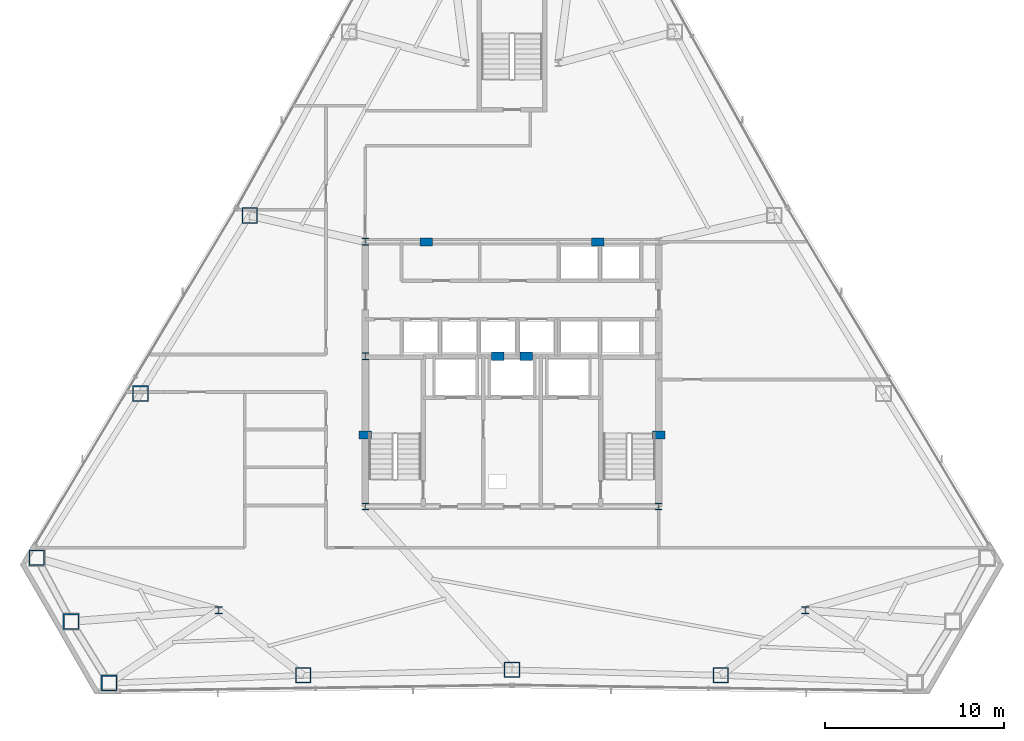
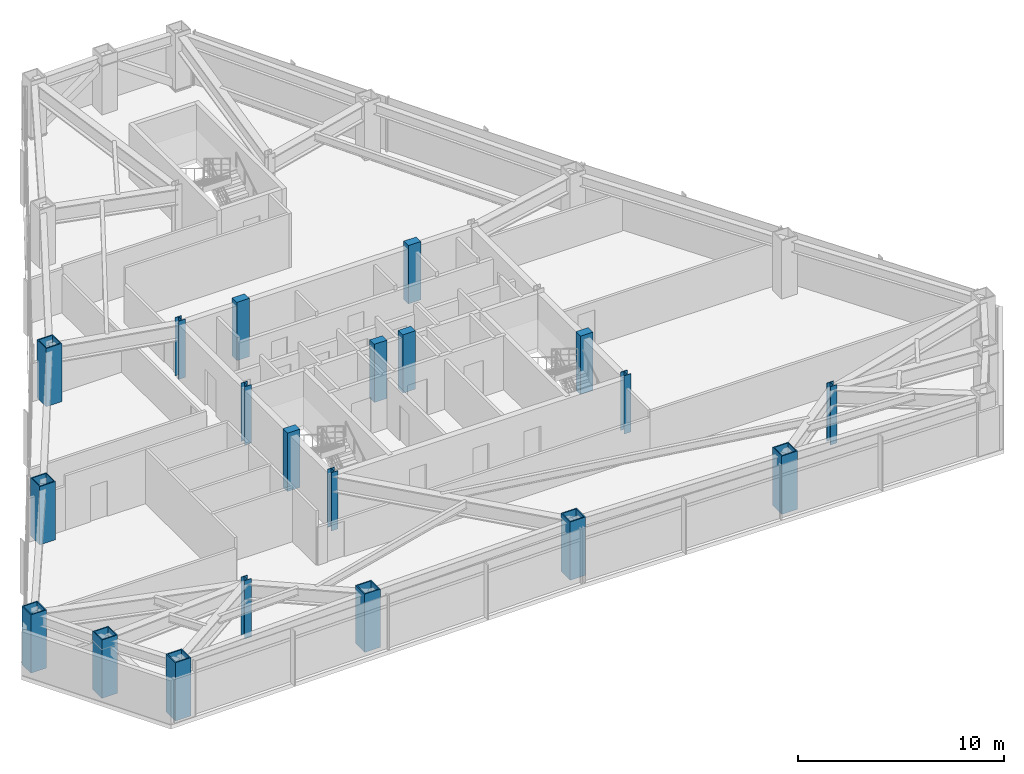
# One storey, part 1 of 11: 20 columns.
"""IFC4 building model written with IfcOpenShell, lengths in metres."""

from ifc_helpers import new_model, si_unit, direction, frame, origin, origin_2d, place, context, subcontext, project, spatial, rectangle, hollow_rectangle, i_section, extrude, material, material_profile, profile_set, type_object, element, save


model = new_model("IFC4")

# Units and contexts
model_context = context("Model", 3, precision=1e-05, world=origin(), true_north=direction((0.0, 1.0)))
body_context = subcontext(model_context, "Body", "Model", "MODEL_VIEW")
ifc_project = project(units=[si_unit("LENGTHUNIT", "METRE"), si_unit("AREAUNIT", "SQUARE_METRE"), si_unit("VOLUMEUNIT", "CUBIC_METRE"), si_unit("PLANEANGLEUNIT", "RADIAN"), si_unit("MASSUNIT", "GRAM", prefix="KILO")], contexts=[model_context])

# Site, building, storey
site_placement = place(None, origin())
site = spatial("IfcSite", under=ifc_project, at=site_placement, CompositionType="ELEMENT")
building_placement = place(site_placement, origin())
building = spatial("IfcBuilding", under=site, at=building_placement, Name="Varakhsha Concourse Tower", CompositionType="ELEMENT")
storey_placement = place(building_placement, frame((0.0, 0.0, 140.14990234375)))
storey = spatial("IfcBuildingStorey", under=building, at=storey_placement, Name="L40", CompositionType="ELEMENT", Elevation=140.14990234375)

# Columns
ifc_material_1 = material(Name="Structural Steel ASTM A992 Grade 50", Category="steel")
ifc_material_profile_1 = material_profile(ifc_material_1, i_section(OverallWidth=0.3740234375, OverallDepth=0.3720703125, WebThickness=0.01611328125, FlangeThickness=0.02587890625, at=origin_2d()), Name="W14X132")
ifc_profile_set_1 = profile_set([ifc_material_profile_1], Name="Structural Steel ASTM A992 Grade 50")
column_type_1 = type_object("IfcColumnType", Name="CL-CORE-W14X132", PredefinedType="COLUMN", material=ifc_profile_set_1)
for number, where, z_axis, x_axis, name in (
    (1, (31.800048828125, 16.39990234375, 0.0), (0.0, 0.0, 1.0), (1.0, 0.0, 0.0), "L40 Core Column CC-SW"),
    (2, (48.199951171875, 16.39990234375, 0.0), (0.0, 0.0, 1.0), (1.0, 0.0, 0.0), "L40 Core Column CC-SE"),
    (3, (31.800048828125, 24.800048828125, 0.0), (0.0, 0.0, 1.0), (1.0, 0.0, 0.0), "L40 Core Column CC-MW"),
    (4, (31.800048828125, 31.199951171875, 0.0), (0.0, 0.0, 1.0), (1.0, 0.0, 0.0), "L40 Core Column CC-NW"),
    (5, (23.60009765625, 10.60009765625, 0.0), (0.0, 0.0, 1.0), (1.0, 0.0, 0.0), "L40 Core Column SS-W"),
    (6, (56.39990234375, 10.60009765625, 0.0), (0.0, 0.0, 1.0), (1.0, 0.0, 0.0), "L40 Core Column SS-E"),
):
    element("IfcColumn", number, at=place(storey_placement, frame(where, z_axis=z_axis, x_axis=x_axis)), inside=storey, type_object=column_type_1, Name=name, PredefinedType="COLUMN", context=body_context, shape_type="SweptSolid", body=[
        extrude(i_section(OverallWidth=0.3740234375, OverallDepth=0.3720703125, WebThickness=0.01611328125, FlangeThickness=0.02587890625, at=origin_2d()), origin(), (0.0, 0.0, 1.0), 3.4501953125),
    ])
ifc_material_2 = material(Name="Concrete fc 65 MPa", Category="concrete")
ifc_material_profile_2 = material_profile(ifc_material_2, rectangle(XDim=0.699951171875, YDim=0.449951171875, at=origin_2d()), Name="RC 700x450")
ifc_profile_set_2 = profile_set([ifc_material_profile_2], Name="Concrete fc 65 MPa")
column_type_2 = type_object("IfcColumnType", Name="CL-PIL-700X450", PredefinedType="PILASTER", material=ifc_profile_set_2)
for number, where, z_axis, x_axis, name in (
    (7, (31.800048828125, 20.39990234375, 0.0), (0.0, 0.0, 1.0), (1.0, 0.0, 0.0), "L40 Core Boundary Pilaster PIL-W1"),
    (8, (48.199951171875, 20.39990234375, 0.0), (0.0, 0.0, 1.0), (1.0, 0.0, 0.0), "L40 Core Boundary Pilaster PIL-E1"),
    (9, (35.199951171875, 31.199951171875, 0.0), (0.0, 0.0, 1.0), (1.0, 0.0, 0.0), "L40 Core Boundary Pilaster PIL-N1"),
    (10, (44.800048828125, 31.199951171875, 0.0), (0.0, 0.0, 1.0), (1.0, 0.0, 0.0), "L40 Core Boundary Pilaster PIL-N2"),
    (11, (39.199951171875, 24.800048828125, 0.0), (0.0, 0.0, 1.0), (1.0, 0.0, 0.0), "L40 Core Boundary Pilaster PIL-M1"),
    (12, (40.800048828125, 24.800048828125, 0.0), (0.0, 0.0, 1.0), (1.0, 0.0, 0.0), "L40 Core Boundary Pilaster PIL-M2"),
):
    element("IfcColumn", number, at=place(storey_placement, frame(where, z_axis=z_axis, x_axis=x_axis)), inside=storey, type_object=column_type_2, Name=name, PredefinedType="PILASTER", context=body_context, shape_type="SweptSolid", body=[
        extrude(rectangle(XDim=0.699951171875, YDim=0.449951171875, at=origin_2d()), origin(), (0.0, 0.0, 1.0), 3.4501953125),
    ])
ifc_material_3 = material(Name="Structural Steel ASTM A572 Grade 50", Category="steel")
ifc_material_profile_3 = material_profile(ifc_material_3, hollow_rectangle(XDim=0.8798828125, YDim=0.8798828125, WallThickness=0.06005859375, at=origin_2d()), Name="BOX 880x880x60")
ifc_profile_set_3 = profile_set([ifc_material_profile_3], Name="Structural Steel ASTM A572 Grade 50")
column_type_3 = type_object("IfcColumnType", Name="CL-TUBE-880", PredefinedType="COLUMN", material=ifc_profile_set_3)
for number, where, z_axis, x_axis, name in (
    (13, (25.33251953125, 32.668212890625, 0.0), (0.0, 0.0, 1.0), (1.0, 0.0, 0.0), "L40 Framed-Tube Column TC05"),
    (14, (19.22802734375, 22.710693359375, 0.0), (0.0, 0.0, 1.0), (1.0, 0.0, 0.0), "L40 Framed-Tube Column TC06"),
    (15, (13.42822265625, 13.527099609375, 0.0), (0.0, 0.0, 1.0), (1.0, 0.0, 0.0), "L40 Framed-Tube Column TC07"),
    (16, (15.34423828125, 9.96484375, 0.0), (0.0, 0.0, 1.0), (1.0, 0.0, 0.0), "L40 Framed-Tube Column TC08"),
    (17, (17.47119140625, 6.524658203125, 0.0), (0.0, 0.0, 1.0), (1.0, 0.0, 0.0), "L40 Framed-Tube Column TC09"),
    (18, (28.32421875, 6.95556640625, 0.0), (0.0, 0.0, 1.0), (1.0, 0.0, 0.0), "L40 Framed-Tube Column TC10"),
    (19, (40.0, 7.263427734375, 0.0), (0.0, 0.0, 1.0), (1.0, 0.0, 0.0), "L40 Framed-Tube Column TC11"),
    (20, (51.67578125, 6.95556640625, 0.0), (0.0, 0.0, 1.0), (1.0, 0.0, 0.0), "L40 Framed-Tube Column TC12"),
):
    element("IfcColumn", number, at=place(storey_placement, frame(where, z_axis=z_axis, x_axis=x_axis)), inside=storey, type_object=column_type_3, Name=name, PredefinedType="COLUMN", context=body_context, shape_type="SweptSolid", body=[
        extrude(hollow_rectangle(XDim=0.8798828125, YDim=0.8798828125, WallThickness=0.06005859375, at=origin_2d()), origin(), (0.0, 0.0, 1.0), 3.4501953125),
    ])

save(model, "model.ifc")
